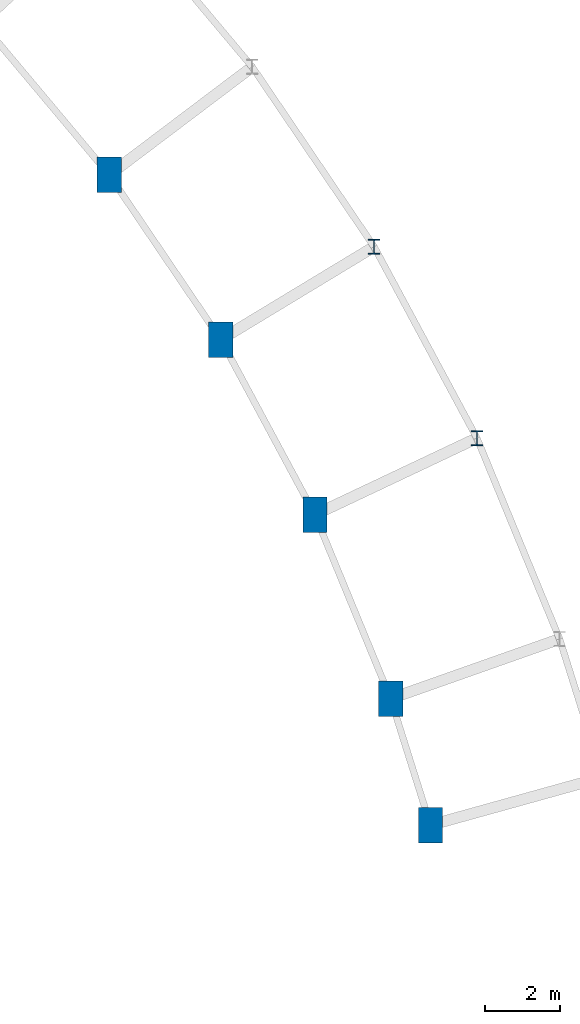
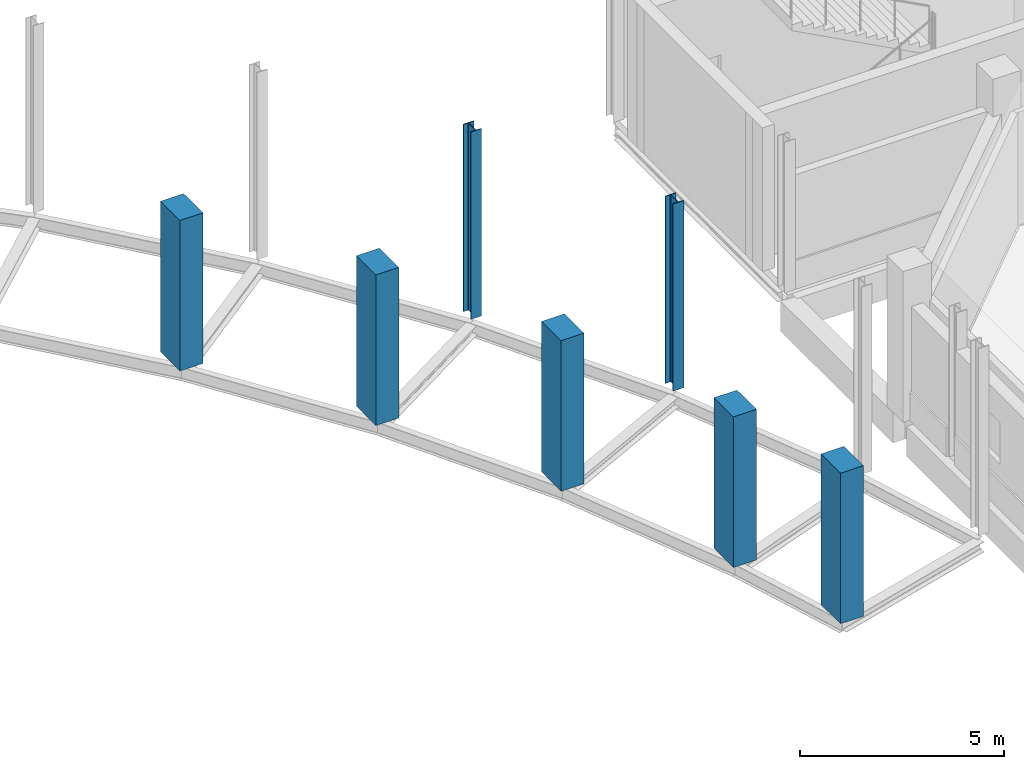
# One storey, part 1 of 129: 7 columns.
"""IFC4 building model written with IfcOpenShell, lengths in metres."""

from ifc_helpers import new_model, si_unit, direction, frame, origin, origin_2d, place, context, subcontext, project, spatial, rectangle, i_section, extrude, material, material_profile, profile_set, type_object, element, save


model = new_model("IFC4")

# Units and contexts
model_context = context("Model", 3, precision=1e-05, world=origin(), true_north=direction((0.0, 1.0)))
body_context = subcontext(model_context, "Body", "Model", "MODEL_VIEW")
ifc_project = project(units=[si_unit("LENGTHUNIT", "METRE"), si_unit("AREAUNIT", "SQUARE_METRE"), si_unit("VOLUMEUNIT", "CUBIC_METRE"), si_unit("PLANEANGLEUNIT", "RADIAN"), si_unit("MASSUNIT", "GRAM", prefix="KILO")], contexts=[model_context])

# Site, building, storey
site_placement = place(None, origin())
site = spatial("IfcSite", under=ifc_project, at=site_placement, CompositionType="ELEMENT")
building_placement = place(site_placement, origin())
building = spatial("IfcBuilding", under=site, at=building_placement, Name="Mersafa Astral City Hall", CompositionType="ELEMENT")
storey_placement = place(building_placement, frame((0.0, 0.0, 5.39990234375)))
storey = spatial("IfcBuildingStorey", under=building, at=storey_placement, Name="L01", CompositionType="ELEMENT", Elevation=5.39990234375)

# Columns
ifc_material_1 = material(Name="Steel S355", Category="steel")
ifc_material_profile_1 = material_profile(ifc_material_1, i_section(OverallWidth=0.300048828125, OverallDepth=0.39990234375, WebThickness=0.013427734375, FlangeThickness=0.02392578125, FilletRadius=0.027099609375, at=origin_2d()), Name="HEB 400")
ifc_profile_set_1 = profile_set([ifc_material_profile_1], Name="Steel S355")
column_type_1 = type_object("IfcColumnType", Name="STR-COL-HEB400", PredefinedType="COLUMN", material=ifc_profile_set_1)
for number, where, z_axis, x_axis, name in (
    (1, (59.98974609375, 28.0927734375, 0.0), (0.0, 0.0, 1.0), (1.0, 0.0, 0.0), "L01 Shaded Front Arcade inner column ARCI-10"),
    (2, (62.743896484375, 22.966796875, 0.0), (0.0, 0.0, 1.0), (1.0, 0.0, 0.0), "L01 Shaded Front Arcade inner column ARCI-11"),
):
    element("IfcColumn", number, at=place(storey_placement, frame(where, z_axis=z_axis, x_axis=x_axis)), inside=storey, type_object=column_type_1, Name=name, PredefinedType="COLUMN", context=body_context, shape_type="SweptSolid", body=[
        extrude(i_section(OverallWidth=0.300048828125, OverallDepth=0.39990234375, WebThickness=0.013427734375, FlangeThickness=0.02392578125, FilletRadius=0.027099609375, at=origin_2d()), origin(), (0.0, 0.0, 1.0), 5.590087890625),
    ])
ifc_material_2 = material(Name="Concrete C40/50", Category="concrete")
ifc_material_profile_2 = material_profile(ifc_material_2, rectangle(XDim=0.64990234375, YDim=0.949951171875, at=origin_2d()), Name="RC 650x950")
ifc_profile_set_2 = profile_set([ifc_material_profile_2], Name="Concrete C40/50")
column_type_2 = type_object("IfcColumnType", Name="STR-PIER-RC650X950", PredefinedType="PILASTER", material=ifc_profile_set_2)
for number, where, z_axis, x_axis, name in (
    (3, (52.89501953125, 30.017333984375, 0.0), (0.0, 0.0, 1.0), (1.0, 0.0, 0.0), "L01 Shaded Front Arcade outer pier ARCO-09"),
    (4, (55.88330078125, 25.607177734375, 0.0), (0.0, 0.0, 1.0), (1.0, 0.0, 0.0), "L01 Shaded Front Arcade outer pier ARCO-10"),
    (5, (58.40478515625, 20.914306640625, 0.0), (0.0, 0.0, 1.0), (1.0, 0.0, 0.0), "L01 Shaded Front Arcade outer pier ARCO-11"),
    (6, (60.432861328125, 15.98828125, 0.0), (0.0, 0.0, 1.0), (1.0, 0.0, 0.0), "L01 Shaded Front Arcade outer pier ARCO-12"),
    (7, (61.5, 12.60009765625, 0.0), (0.0, 0.0, 1.0), (1.0, 0.0, 0.0), "L01 Shaded Front Arcade outer pier ARCO-13"),
):
    element("IfcColumn", number, at=place(storey_placement, frame(where, z_axis=z_axis, x_axis=x_axis)), inside=storey, type_object=column_type_2, Name=name, PredefinedType="PILASTER", context=body_context, shape_type="SweptSolid", body=[
        extrude(rectangle(XDim=0.64990234375, YDim=0.949951171875, at=origin_2d()), origin(), (0.0, 0.0, 1.0), 4.5),
    ])

save(model, "model.ifc")
